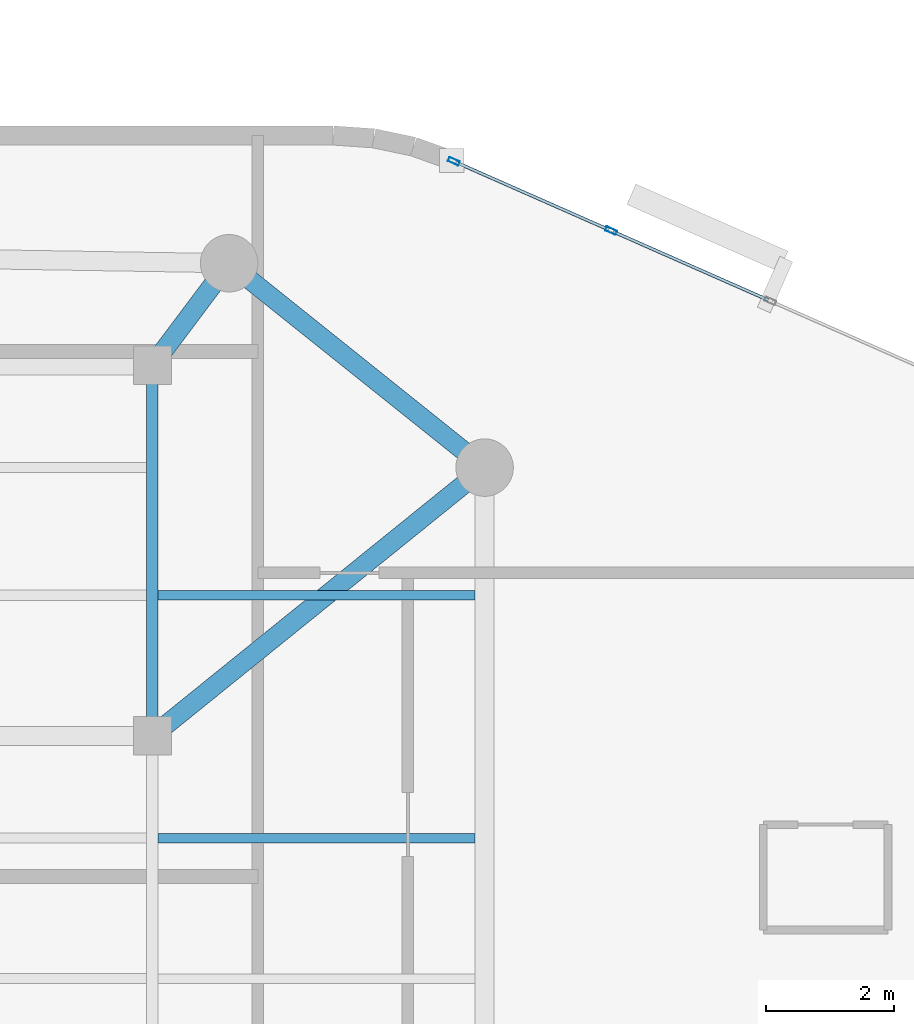
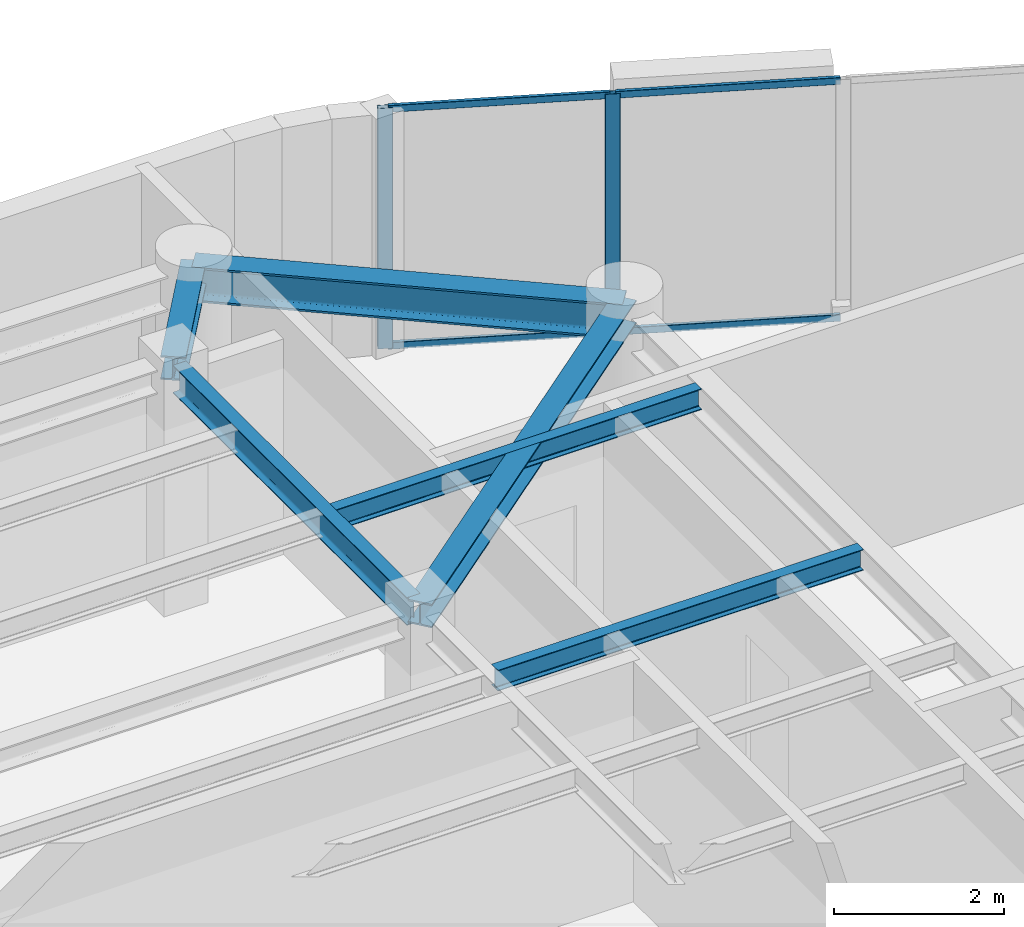
# One storey, part 6 of 13: 6 beams, 6 members, 1 element without a shape of its own.
"""IFC4 building model written with IfcOpenShell, lengths in metres."""

import ifcopenshell
import ifcopenshell.guid

model = None  # the IFC model being written
_history = None  # IfcOwnerHistory: only IFC2X3 demands one
_inside = {}  # id of a spatial element -> (the spatial element, [elements in it])
_under = {}  # id of a project, library or spatial element -> (it, [spatial elements below it])
_declared = {}  # id of a project -> (the project, [libraries it declares])
_typed = {}  # id of a type object -> (the type object, [elements of that type])
_made_of = {}  # id of a material, layer set ... -> (it, [elements and type objects made of it])


def new_model(schema):
    """Start an empty IFC model of exactly this schema.

    Asked for "IFC4X3", IfcOpenShell would pick the latest addendum, in which some entities
    have other attributes; the version numbers below select the first issue.
    IFC2X3 requires an IfcOwnerHistory on every rooted entity: one is made here for all.
    """
    global model, _history
    if schema == "IFC4X3":
        model = ifcopenshell.file(schema_version=(4, 3, 0, 0))
    else:
        model = ifcopenshell.file(schema=schema)
    _inside.clear()
    _under.clear()
    _declared.clear()
    _typed.clear()
    _made_of.clear()
    _history = None
    if model.schema == "IFC2X3":
        org = make("IfcOrganization", Name="unknown")
        user = make(
            "IfcPersonAndOrganization",
            ThePerson=make("IfcPerson", FamilyName="unknown"),
            TheOrganization=org,
        )
        app = make(
            "IfcApplication",
            ApplicationDeveloper=org,
            Version="unknown",
            ApplicationFullName="unknown",
            ApplicationIdentifier="unknown",
        )
        _history = make(
            "IfcOwnerHistory",
            OwningUser=user,
            OwningApplication=app,
            ChangeAction="ADDED",
            CreationDate=0,
        )
    return model


def make(cls, **values):
    """One entity of the class cls with the attributes given. An attribute that is None is left unset."""
    return model.create_entity(
        cls, **{name: value for name, value in values.items() if value is not None}
    )


def rooted(cls, **values):
    """An entity with a GlobalId (a new one), such as an element, a storey or a relation."""
    return make(cls, GlobalId=ifcopenshell.guid.new(), OwnerHistory=_history, **values)


def si_unit(unit_type, name, prefix=None):
    """IfcSIUnit, for example si_unit("LENGTHUNIT", "METRE", prefix="MILLI")."""
    return make("IfcSIUnit", UnitType=unit_type, Prefix=prefix, Name=name)


def assignment(units):
    """IfcUnitAssignment: the units of a project."""
    return None if units is None else make("IfcUnitAssignment", Units=units)


def point(xyz):
    """IfcCartesianPoint."""
    return None if xyz is None else make("IfcCartesianPoint", Coordinates=xyz)


def direction(xyz):
    """IfcDirection."""
    return None if xyz is None else make("IfcDirection", DirectionRatios=xyz)


def frame(location, z_axis=None, x_axis=None):
    """IfcAxis2Placement3D, a coordinate frame: its origin and axes. An axis left out is left unset."""
    return make(
        "IfcAxis2Placement3D",
        Location=point(location),
        Axis=direction(z_axis),
        RefDirection=direction(x_axis),
    )


def frame_2d(location, x_axis=None):
    """IfcAxis2Placement2D, a coordinate frame in the plane: its origin and x axis."""
    return make(
        "IfcAxis2Placement2D", Location=point(location), RefDirection=direction(x_axis)
    )


def origin():
    """The frame at (0, 0, 0) with its axes left unset."""
    return frame((0.0, 0.0, 0.0))


def origin_2d():
    """The frame at (0, 0) in the plane with its x axis left unset."""
    return frame_2d((0.0, 0.0))


def place(relative_to, where):
    """IfcLocalPlacement: puts the frame where relative to a parent placement (None: the world)."""
    return make(
        "IfcLocalPlacement", PlacementRelTo=relative_to, RelativePlacement=where
    )


def context(
    kind, dimensions, precision=None, world=None, true_north=None, identifier=None
):
    """IfcGeometricRepresentationContext, for example the 3D "Model" context."""
    return make(
        "IfcGeometricRepresentationContext",
        ContextIdentifier=identifier,
        ContextType=kind,
        CoordinateSpaceDimension=dimensions,
        Precision=precision,
        WorldCoordinateSystem=world,
        TrueNorth=true_north,
    )


def subcontext(parent, identifier, kind, view, scale=None):
    """IfcGeometricRepresentationSubContext, for example "Body" below "Model"."""
    return make(
        "IfcGeometricRepresentationSubContext",
        ContextIdentifier=identifier,
        ContextType=kind,
        ParentContext=parent,
        TargetScale=scale,
        TargetView=view,
    )


def project(units=None, contexts=None):
    """IfcProject with its units and contexts."""
    return rooted(
        "IfcProject",
        Name="project",
        RepresentationContexts=contexts,
        UnitsInContext=assignment(units),
    )


def spatial(cls, under=None, at=None, **own):
    """A site, building, storey or space (cls), placed at a placement, below another one or the project."""
    s = rooted(cls, ObjectPlacement=at, **own)
    if under is not None:
        _under.setdefault(under.id(), (under, []))[1].append(s)
    return s


def profile(cls, at=None, kind="AREA", **sizes):
    """A parametric profile (cls). Its sizes go by their IFC names, for example OverallWidth=200.0."""
    return make(cls, ProfileType=kind, Position=at, **sizes)


def hollow_rectangle(**sizes):
    """IfcRectangleHollowProfileDef."""
    return profile("IfcRectangleHollowProfileDef", **sizes)


def i_section(**sizes):
    """IfcIShapeProfileDef."""
    return profile("IfcIShapeProfileDef", **sizes)


def extrude(swept, where, along, depth):
    """IfcExtrudedAreaSolid: the profile swept, set in the frame where, extruded along a direction by depth."""
    return make(
        "IfcExtrudedAreaSolid",
        SweptArea=swept,
        Position=where,
        ExtrudedDirection=direction(along),
        Depth=depth,
    )


def shape(context_of_items, identifier, shape_type, items):
    """IfcShapeRepresentation: the items that make up one representation, for example the "Body"."""
    return make(
        "IfcShapeRepresentation",
        ContextOfItems=context_of_items,
        RepresentationIdentifier=identifier,
        RepresentationType=shape_type,
        Items=items,
    )


def material(Name=None, Category=None):
    """IfcMaterial."""
    return make("IfcMaterial", Name=Name, Category=Category)


def layer(
    of_material, thickness, ventilated=None, Name=None, Category=None, Priority=None
):
    """IfcMaterialLayer: one layer of a wall or slab, of a material (None: an air gap)."""
    return make(
        "IfcMaterialLayer",
        Material=of_material,
        LayerThickness=thickness,
        IsVentilated=ventilated,
        Name=Name,
        Category=Category,
        Priority=Priority,
    )


def layer_set(layers, Name=None):
    """IfcMaterialLayerSet."""
    return make("IfcMaterialLayerSet", MaterialLayers=layers, LayerSetName=Name)


def material_profile(
    of_material, cross_section, Name=None, Category=None, Priority=None
):
    """IfcMaterialProfile: a cross section and its material."""
    return make(
        "IfcMaterialProfile",
        Name=Name,
        Material=of_material,
        Profile=cross_section,
        Priority=Priority,
        Category=Category,
    )


def profile_set(profiles, Name=None, composite=None):
    """IfcMaterialProfileSet."""
    return make(
        "IfcMaterialProfileSet",
        Name=Name,
        MaterialProfiles=profiles,
        CompositeProfile=composite,
    )


def made_of(thing, what):
    """Note that an element or type object is made of a material, layer set ...; save() writes the relation."""
    if what is not None:
        _made_of.setdefault(what.id(), (what, []))[1].append(thing)
    return thing


def type_object(cls, material=None, **own):
    """A type object (cls), such as IfcWallType, which elements share."""
    return made_of(rooted(cls, **own), material)


def element(
    cls,
    number,
    at=None,
    inside=None,
    cuts=None,
    type_object=None,
    material=None,
    context=None,
    identifier="Body",
    shape_type=None,
    held_by="IfcProductDefinitionShape",
    body=None,
    shapes=None,
    **own,
):
    """One element of the class cls, such as IfcWall. Its Tag is "e" and its number.

    at: its placement. inside: the storey or other place that contains it. cuts: it is an
    opening in that element (IfcRelVoidsElement). A single representation is given by context,
    identifier, shape_type and body (its items); several are given by shapes. held_by: the class
    of the entity that holds the representations. save() writes the other relations.
    """
    e = rooted(cls, Tag="e%d" % number, ObjectPlacement=at, **own)
    if body is not None:
        shapes = [shape(context, identifier, shape_type, body)]
    if shapes is not None:
        e.Representation = make(held_by, Representations=shapes)
    if inside is not None:
        _inside.setdefault(inside.id(), (inside, []))[1].append(e)
    if cuts is not None:
        rooted(
            "IfcRelVoidsElement", RelatingBuildingElement=cuts, RelatedOpeningElement=e
        )
    if type_object is not None:
        _typed.setdefault(type_object.id(), (type_object, []))[1].append(e)
    return made_of(e, material)


def aggregate(whole, parts):
    """IfcRelAggregates: a whole, such as a stair, and the parts it consists of."""
    return rooted("IfcRelAggregates", RelatingObject=whole, RelatedObjects=parts)


def save(model, path):
    """Write the relations noted so far, then the file.

    IfcRelAggregates (storeys below a building ...), IfcRelContainedInSpatialStructure (elements
    in a storey), IfcRelDefinesByType, IfcRelAssociatesMaterial and IfcRelDeclares: one each for
    every whole, place, type object, material and project.
    """
    for whole, parts in _under.values():
        aggregate(whole, parts)
    for where, things in _inside.values():
        rooted(
            "IfcRelContainedInSpatialStructure",
            RelatedElements=things,
            RelatingStructure=where,
        )
    for kind, things in _typed.values():
        rooted("IfcRelDefinesByType", RelatedObjects=things, RelatingType=kind)
    for what, things in _made_of.values():
        rooted("IfcRelAssociatesMaterial", RelatedObjects=things, RelatingMaterial=what)
    for by, libraries in _declared.values():
        rooted("IfcRelDeclares", RelatingContext=by, RelatedDefinitions=libraries)
    model.write(path)


model = new_model("IFC4")

# Units and contexts
model_context = context("Model", 3, precision=1e-05, world=origin(), true_north=direction((0.0, 1.0)))
body_context = subcontext(model_context, "Body", "Model", "MODEL_VIEW")
ifc_project = project(units=[si_unit("LENGTHUNIT", "METRE"), si_unit("AREAUNIT", "SQUARE_METRE"), si_unit("VOLUMEUNIT", "CUBIC_METRE"), si_unit("PLANEANGLEUNIT", "RADIAN"), si_unit("MASSUNIT", "GRAM", prefix="KILO")], contexts=[model_context])

# Site, building, storey
site_placement = place(None, origin())
site = spatial("IfcSite", under=ifc_project, at=site_placement, CompositionType="ELEMENT")
building_placement = place(site_placement, origin())
building = spatial("IfcBuilding", under=site, at=building_placement, Name="An Khanh Terracotta Commons", CompositionType="ELEMENT")
storey_placement = place(building_placement, frame((0.0, 0.0, 266.10009765625)))
storey = spatial("IfcBuildingStorey", under=building, at=storey_placement, Name="L69", CompositionType="ELEMENT", Elevation=266.10009765625)

# Beams
ifc_material_1 = material(Name="Steel S355J2", Category="steel")
ifc_material_profile_1 = material_profile(ifc_material_1, i_section(OverallWidth=0.300048828125, OverallDepth=0.340087890625, WebThickness=0.011962890625, FlangeThickness=0.021484375, FilletRadius=0.027099609375, at=origin_2d()), Name="HEB340")
ifc_profile_set_1 = profile_set([ifc_material_profile_1], Name="Steel S355J2")
beam_type_1 = type_object("IfcBeamType", Name="BM-HEB340", PredefinedType="BEAM", material=ifc_profile_set_1)
beam_1_placement = place(storey_placement, frame((63.39990234375, 32.0, 3.27978515625), z_axis=(-0.777941866883, -0.628336256913, 0.0), x_axis=(0.628336256913, -0.777941866883, 0.0)))
element("IfcBeam", 1, at=beam_1_placement, inside=storey, type_object=beam_type_1, Name="L69 Mega-Column Tie Girder 4", PredefinedType="BEAM", context=body_context, shape_type="SweptSolid", body=[
    extrude(i_section(OverallWidth=0.300048828125, OverallDepth=0.340087890625, WebThickness=0.011962890625, FlangeThickness=0.021484375, FilletRadius=0.027099609375, at=origin_2d()), origin(), (0.0, 0.0, 1.0), 6.684326171875),
])
beam_2_placement = place(storey_placement, frame((59.39990234375, 35.199951171875, 3.27978515625), z_axis=(-0.600019532502, -0.799985350251, 0.0), x_axis=(0.799985350251, -0.600019532502, 0.0)))
element("IfcBeam", 2, at=beam_2_placement, inside=storey, type_object=beam_type_1, Name="L69 Mega-Column Tie Girder 5", PredefinedType="BEAM", context=body_context, shape_type="SweptSolid", body=[
    extrude(i_section(OverallWidth=0.300048828125, OverallDepth=0.340087890625, WebThickness=0.011962890625, FlangeThickness=0.021484375, FilletRadius=0.027099609375, at=origin_2d()), origin(), (0.0, 0.0, 1.0), 1.999755859375),
])
ifc_material_profile_2 = material_profile(ifc_material_1, i_section(OverallWidth=0.300048828125, OverallDepth=0.5, WebThickness=0.014404296875, FlangeThickness=0.028076171875, FilletRadius=0.027099609375, at=origin_2d()), Name="HEB500")
ifc_profile_set_2 = profile_set([ifc_material_profile_2], Name="Steel S355J2")
beam_type_2 = type_object("IfcBeamType", Name="BM-HEB500", PredefinedType="BEAM", material=ifc_profile_set_2)
beam_3_placement = place(storey_placement, frame((63.39990234375, 32.0, 3.199951171875), z_axis=(-0.780873459249, 0.624689235253, 0.0), x_axis=(-0.624689235253, -0.780873459249, 0.0)))
element("IfcBeam", 3, at=beam_3_placement, inside=storey, type_object=beam_type_2, Name="L69 Perimeter Ring Spandrel 4", PredefinedType="BEAM", context=body_context, shape_type="SweptSolid", body=[
    extrude(i_section(OverallWidth=0.300048828125, OverallDepth=0.5, WebThickness=0.014404296875, FlangeThickness=0.028076171875, FilletRadius=0.027099609375, at=origin_2d()), origin(), (0.0, 0.0, 1.0), 5.12255859375),
])
ifc_material_profile_3 = material_profile(ifc_material_1, i_section(OverallWidth=0.14990234375, OverallDepth=0.300048828125, WebThickness=0.007080078125, FlangeThickness=0.0107421875, FilletRadius=0.014892578125, at=origin_2d()), Name="IPE300")
ifc_profile_set_3 = profile_set([ifc_material_profile_3], Name="Steel S355J2")
beam_type_3 = type_object("IfcBeamType", Name="BM-IPE300", PredefinedType="JOIST", material=ifc_profile_set_3)
for number, where, z_axis, x_axis, name in (
    (4, (58.2900390625, 26.199951171875, 3.2998046875), (1.0, 0.0, 0.0), (0.0, 1.0, 0.0), "L69 Riverfront Composite Joist 5"),
    (5, (58.2900390625, 30.0, 3.2998046875), (1.0, 0.0, 0.0), (0.0, 1.0, 0.0), "L69 Riverfront Composite Joist 6"),
):
    element("IfcBeam", number, at=place(storey_placement, frame(where, z_axis=z_axis, x_axis=x_axis)), inside=storey, type_object=beam_type_3, Name=name, PredefinedType="JOIST", context=body_context, shape_type="SweptSolid", body=[
        extrude(i_section(OverallWidth=0.14990234375, OverallDepth=0.300048828125, WebThickness=0.007080078125, FlangeThickness=0.0107421875, FilletRadius=0.014892578125, at=origin_2d()), origin(), (0.0, 0.0, 1.0), 4.9599609375),
    ])
ifc_material_profile_4 = material_profile(ifc_material_1, i_section(OverallWidth=0.179931640625, OverallDepth=0.39990234375, WebThickness=0.008544921875, FlangeThickness=0.013427734375, FilletRadius=0.02099609375, at=origin_2d()), Name="IPE400")
ifc_profile_set_4 = profile_set([ifc_material_profile_4], Name="Steel S355J2")
beam_type_4 = type_object("IfcBeamType", Name="BM-IPE400", PredefinedType="JOIST", material=ifc_profile_set_4)
beam_4_placement = place(storey_placement, frame((58.199951171875, 27.949951171875, 3.25), z_axis=(0.0, 1.0, 0.0), x_axis=(-1.0, 0.0, 0.0)))
element("IfcBeam", 6, at=beam_4_placement, inside=storey, type_object=beam_type_4, Name="L69 East Spine Girder 3", PredefinedType="JOIST", context=body_context, shape_type="SweptSolid", body=[
    extrude(i_section(OverallWidth=0.179931640625, OverallDepth=0.39990234375, WebThickness=0.008544921875, FlangeThickness=0.013427734375, FilletRadius=0.02099609375, at=origin_2d()), origin(), (0.0, 0.0, 1.0), 5.5),
])

# Curtain wall, members
ifc_material_2 = material(Name="Anodised Aluminium 6063-T6", Category="aluminium")
ifc_layer = layer(ifc_material_2, 0.2099609375, Name="Anodised Aluminium 6063-T6")
ifc_layer_set = layer_set([ifc_layer], Name="Anodised Aluminium 6063-T6")
curtain_wall_type = type_object("IfcCurtainWallType", Name="CW-SYS-03", PredefinedType="USERDEFINED", material=ifc_layer_set)
curtain_wall_placement = place(storey_placement, origin())
curtain_wall = element("IfcCurtainWall", 7, at=curtain_wall_placement, inside=storey, type_object=curtain_wall_type, Name="L69 CW-03 Unitised Curtain Wall CW-L69-16", ObjectType="UNITISED CURTAIN WALL", PredefinedType="USERDEFINED")
ifc_material_profile_5 = material_profile(ifc_material_2, hollow_rectangle(XDim=0.070068359375, YDim=0.179931640625, WallThickness=0.00390625, InnerFilletRadius=0.00390625, OuterFilletRadius=0.008056640625, at=origin_2d()), Name="RHS180x70x4")
ifc_profile_set_5 = profile_set([ifc_material_profile_5], Name="Anodised Aluminium 6063-T6")
member_type_1 = type_object("IfcMemberType", Name="CWM-RHS180x70x4", PredefinedType="MULLION", material=ifc_profile_set_5)
member_1_placement = place(storey_placement, frame((65.37939453125, 35.709228515625, 0.0), z_axis=(0.0, 0.0, 1.0), x_axis=(-0.403676354285, -0.914901853201, 0.0)))
member_1 = element("IfcMember", 8, at=member_1_placement, type_object=member_type_1, Name="CW-03 mullion 4", PredefinedType="MULLION", context=body_context, shape_type="SweptSolid", body=[
    extrude(hollow_rectangle(XDim=0.070068359375, YDim=0.179931640625, WallThickness=0.00390625, InnerFilletRadius=0.00390625, OuterFilletRadius=0.008056640625, at=origin_2d()), origin(), (0.0, 0.0, 1.0), 3.449951171875),
])
member_2_placement = place(storey_placement, frame((62.9189453125, 36.794921875, 0.0), z_axis=(0.0, 0.0, 1.0), x_axis=(-0.403676354285, -0.914901853201, 0.0)))
member_2 = element("IfcMember", 9, at=member_2_placement, type_object=member_type_1, Name="CW-03 mullion 5", PredefinedType="MULLION", context=body_context, shape_type="SweptSolid", body=[
    extrude(hollow_rectangle(XDim=0.070068359375, YDim=0.179931640625, WallThickness=0.00390625, InnerFilletRadius=0.00390625, OuterFilletRadius=0.008056640625, at=origin_2d()), origin(), (0.0, 0.0, 1.0), 3.449951171875),
])
ifc_material_profile_6 = material_profile(ifc_material_2, hollow_rectangle(XDim=0.050048828125, YDim=0.10009765625, WallThickness=0.003173828125, InnerFilletRadius=0.003173828125, OuterFilletRadius=0.00634765625, at=origin_2d()), Name="RHS100x50x3.2")
ifc_profile_set_6 = profile_set([ifc_material_profile_6], Name="Anodised Aluminium 6063-T6")
member_type_2 = type_object("IfcMemberType", Name="CWT-RHS100x50x3.2", PredefinedType="USERDEFINED", material=ifc_profile_set_6)
member_3_placement = place(storey_placement, frame((67.840087890625, 34.62353515625, 0.02490234375), z_axis=(-0.914896820753, 0.403687759755, 0.0), x_axis=(-0.403687759755, -0.914896820753, 0.0)))
member_3 = element("IfcMember", 10, at=member_3_placement, type_object=member_type_2, Name="CW-03 transom 3.1", ObjectType="TRANSOM", PredefinedType="USERDEFINED", context=body_context, shape_type="SweptSolid", body=[
    extrude(hollow_rectangle(XDim=0.050048828125, YDim=0.10009765625, WallThickness=0.003173828125, InnerFilletRadius=0.003173828125, OuterFilletRadius=0.00634765625, at=origin_2d()), origin(), (0.0, 0.0, 1.0), 2.654296875),
])
member_4_placement = place(storey_placement, frame((67.840087890625, 34.62353515625, 3.4248046875), z_axis=(-0.914896820753, 0.403687759755, 0.0), x_axis=(-0.403687759755, -0.914896820753, 0.0)))
member_4 = element("IfcMember", 11, at=member_4_placement, type_object=member_type_2, Name="CW-03 transom 3.2", ObjectType="TRANSOM", PredefinedType="USERDEFINED", context=body_context, shape_type="SweptSolid", body=[
    extrude(hollow_rectangle(XDim=0.050048828125, YDim=0.10009765625, WallThickness=0.003173828125, InnerFilletRadius=0.003173828125, OuterFilletRadius=0.00634765625, at=origin_2d()), origin(), (0.0, 0.0, 1.0), 2.654296875),
])
member_5_placement = place(storey_placement, frame((65.347412109375, 35.723388671875, 0.02490234375), z_axis=(-0.914903627858, 0.403672332137, 0.0), x_axis=(-0.403672332137, -0.914903627858, 0.0)))
member_5 = element("IfcMember", 12, at=member_5_placement, type_object=member_type_2, Name="CW-03 transom 4.1", ObjectType="TRANSOM", PredefinedType="USERDEFINED", context=body_context, shape_type="SweptSolid", body=[
    extrude(hollow_rectangle(XDim=0.050048828125, YDim=0.10009765625, WallThickness=0.003173828125, InnerFilletRadius=0.003173828125, OuterFilletRadius=0.00634765625, at=origin_2d()), origin(), (0.0, 0.0, 1.0), 2.619384765625),
])
member_6_placement = place(storey_placement, frame((65.347412109375, 35.723388671875, 3.4248046875), z_axis=(-0.914903627858, 0.403672332137, 0.0), x_axis=(-0.403672332137, -0.914903627858, 0.0)))
member_6 = element("IfcMember", 13, at=member_6_placement, type_object=member_type_2, Name="CW-03 transom 4.2", ObjectType="TRANSOM", PredefinedType="USERDEFINED", context=body_context, shape_type="SweptSolid", body=[
    extrude(hollow_rectangle(XDim=0.050048828125, YDim=0.10009765625, WallThickness=0.003173828125, InnerFilletRadius=0.003173828125, OuterFilletRadius=0.00634765625, at=origin_2d()), origin(), (0.0, 0.0, 1.0), 2.619384765625),
])
aggregate(curtain_wall, [member_1, member_2, member_3, member_4, member_5, member_6])

save(model, "model.ifc")
